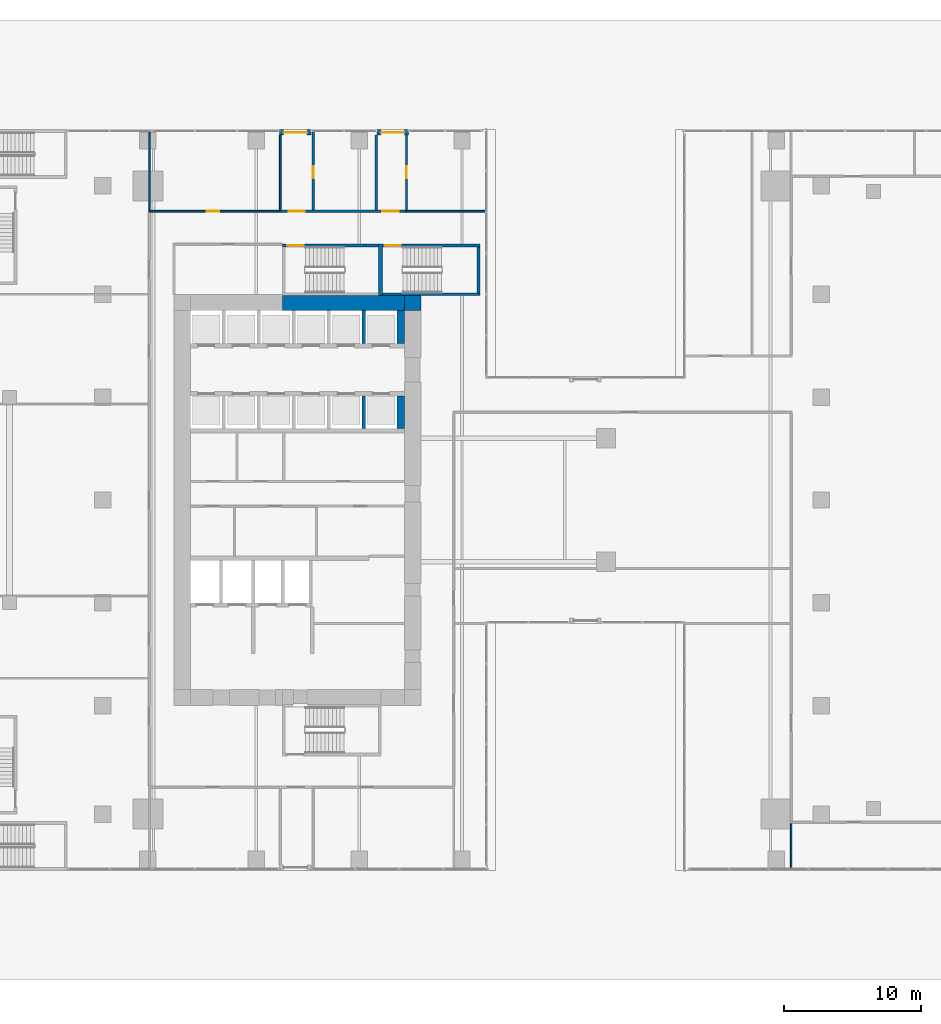
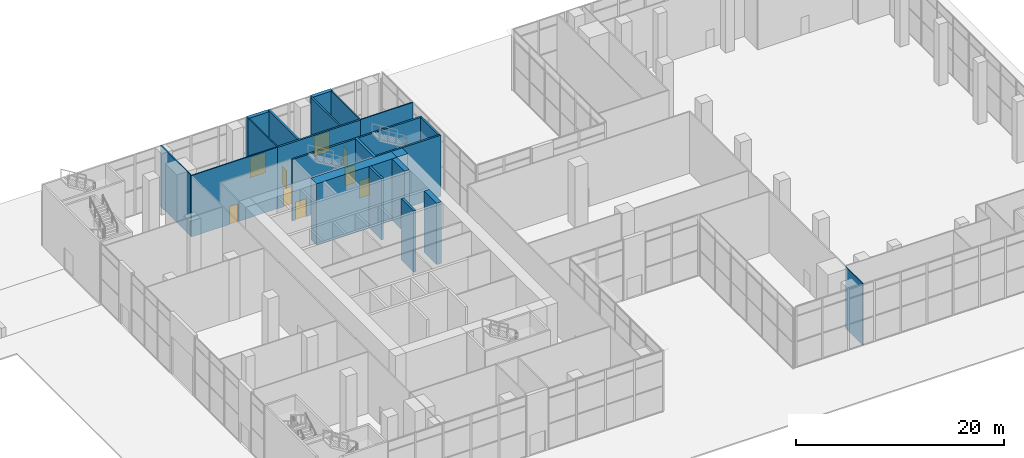
# One storey, part 40 of 52: 22 walls, 9 doors, 9 openings.
"""IFC4 building model written with IfcOpenShell, lengths in metres."""

from ifc_helpers import new_model, si_unit, direction, frame, frame_2d, origin, place, context, subcontext, project, spatial, rectangle, extrude, source, transform, mapped, material, layer, layer_set, type_object, element, fill, save


model = new_model("IFC4")

# Units and contexts
model_context = context("Model", 3, precision=1e-05, world=origin(), true_north=direction((0.0, 1.0)))
body_context = subcontext(model_context, "Body", "Model", "MODEL_VIEW")
ifc_project = project(units=[si_unit("LENGTHUNIT", "METRE"), si_unit("AREAUNIT", "SQUARE_METRE"), si_unit("VOLUMEUNIT", "CUBIC_METRE"), si_unit("PLANEANGLEUNIT", "RADIAN"), si_unit("MASSUNIT", "GRAM", prefix="KILO")], contexts=[model_context])

# Site, building, storey
site_placement = place(None, origin())
site = spatial("IfcSite", under=ifc_project, at=site_placement, CompositionType="ELEMENT")
building_placement = place(site_placement, origin())
building = spatial("IfcBuilding", under=site, at=building_placement, Name="Khomas Fold Tower", CompositionType="ELEMENT")
storey_placement = place(building_placement, origin())
storey = spatial("IfcBuildingStorey", under=building, at=storey_placement, Name="L00", CompositionType="ELEMENT", Elevation=0.0)

# Walls
ifc_material_1 = material(Name="Concrete C70/85", Category="concrete")
ifc_layer_1 = layer(ifc_material_1, 1.10009765625)
ifc_layer_set_1 = layer_set([ifc_layer_1], Name="Concrete C70/85")
wall_type_1 = type_object("IfcWallType", Name="Core wall 1100", PredefinedType="SHEAR", material=ifc_layer_set_1)
shared_shape_1 = source(origin(), body_context, "Body", "SweptSolid", [
    extrude(rectangle(XDim=8.900146484375, YDim=1.10009765625, at=frame_2d((4.4501953125, 0.0))), origin(), (0.0, 0.0, 1.0), 7.199951171875),
])
wall_1_placement = place(storey_placement, frame((13.89990234375, 41.35009765625, 0.0), z_axis=(0.0, 0.0, 1.0), x_axis=(1.0, 0.0, 0.0)))
element("IfcWall", 1, at=wall_1_placement, inside=storey, type_object=wall_type_1, Name="Core wall CW-L-N-B2-1", PredefinedType="SHEAR", context=body_context, shape_type="MappedRepresentation", body=[
    mapped(shared_shape_1, transform((0.0, 0.0, 0.0))),
])
ifc_material_2 = material(Name="Concrete C70/85", Category="concrete")
ifc_layer_2 = layer(ifc_material_2, 1.10009765625)
ifc_layer_set_2 = layer_set([ifc_layer_2], Name="Concrete C70/85")
wall_type_2 = type_object("IfcWallType", Name="Core corner wall 1100", PredefinedType="SHEAR", material=ifc_layer_set_2)
shared_shape_2 = source(origin(), body_context, "Body", "SweptSolid", [
    extrude(rectangle(XDim=1.199951171875, YDim=1.10009765625, at=frame_2d((0.60009765625, 0.0))), origin(), (0.0, 0.0, 1.0), 7.199951171875),
])
wall_2_placement = place(storey_placement, frame((22.800048828125, 41.35009765625, 0.0), z_axis=(0.0, 0.0, 1.0), x_axis=(1.0, 0.0, 0.0)))
element("IfcWall", 2, at=wall_2_placement, inside=storey, type_object=wall_type_2, Name="Core wall CW-L-NE-B2", PredefinedType="SHEAR", context=body_context, shape_type="MappedRepresentation", body=[
    mapped(shared_shape_2, transform((0.0, 0.0, 0.0))),
])

# Wall, opening, door
ifc_material_3 = material(Name="Concrete C50/60", Category="concrete")
ifc_layer_3 = layer(ifc_material_3, 0.199951171875)
ifc_layer_set_3 = layer_set([ifc_layer_3], Name="Concrete C50/60")
wall_type_3 = type_object("IfcWallType", Name="Stair wall 200", PredefinedType="SHEAR", material=ifc_layer_set_3)
shared_shape_3 = source(origin(), body_context, "Body", "SweptSolid", [
    extrude(rectangle(XDim=7.0, YDim=0.199951171875, at=frame_2d((3.5, 0.0))), origin(), (0.0, 0.0, 1.0), 7.199951171875),
])
wall_3_placement = place(storey_placement, frame((13.89990234375, 45.550048828125, 0.0), z_axis=(0.0, 0.0, 1.0), x_axis=(1.0, 0.0, 0.0)))
wall_3 = element("IfcWall", 3, at=wall_3_placement, inside=storey, type_object=wall_type_3, Name="Stair wall SW-ST1-N", PredefinedType="SHEAR", context=body_context, shape_type="MappedRepresentation", body=[
    mapped(shared_shape_3, transform((0.0, 0.0, 0.0))),
])
shared_shape_4 = source(origin(), body_context, "Body", "SweptSolid", [
    extrude(rectangle(XDim=1.199951171875, YDim=2.10009765625, at=frame_2d((0.60009765625, 1.050048828125))), frame((0.0, 0.10986328125, 0.0), z_axis=(0.0, -1.0, 0.0), x_axis=(1.0, 0.0, 0.0)), (0.0, 0.0, 1.0), 0.219970703125),
])
opening_1_placement = place(wall_3_placement, frame((0.35009765625, 0.0, 0.0)))
opening_1 = element("IfcOpeningElement", 4, at=opening_1_placement, cuts=wall_3, Name="Opening SD-ST1", PredefinedType="OPENING", context=body_context, shape_type="MappedRepresentation", body=[
    mapped(shared_shape_4, transform((0.0, 0.0, 0.0))),
])
ifc_material_4 = material(Name="Steel door leaf", Category="steel")
door_type_1 = type_object("IfcDoorType", Name="Stair door 1200x2100 left-hand", OperationType="SINGLE_SWING_LEFT", PredefinedType="DOOR", material=ifc_material_4)
shared_shape_5 = source(origin(), body_context, "Body", "SweptSolid", [
    extrude(rectangle(XDim=1.199951171875, YDim=2.10009765625, at=frame_2d((0.60009765625, 1.050048828125))), frame((0.0, 0.02490234375, 0.0), z_axis=(0.0, -1.0, 0.0), x_axis=(1.0, 0.0, 0.0)), (0.0, 0.0, 1.0), 0.050048828125),
])
door_1_placement = place(opening_1_placement, origin())
door_1 = element("IfcDoor", 5, at=door_1_placement, inside=storey, type_object=door_type_1, Name="Stair door", OperationType="SINGLE_SWING_LEFT", OverallHeight=2.10009765625, OverallWidth=1.199951171875, PredefinedType="DOOR", context=body_context, shape_type="MappedRepresentation", body=[
    mapped(shared_shape_5, transform((0.0, 0.0, 0.0))),
])
fill(opening_1, door_1)

shared_shape_6 = source(origin(), body_context, "Body", "SweptSolid", [
    extrude(rectangle(XDim=7.10009765625, YDim=0.199951171875, at=frame_2d((3.550048828125, 0.0))), origin(), (0.0, 0.0, 1.0), 7.199951171875),
])
wall_4_placement = place(storey_placement, frame((21.199951171875, 45.550048828125, 0.0), z_axis=(0.0, 0.0, 1.0), x_axis=(1.0, 0.0, 0.0)))
wall_4 = element("IfcWall", 6, at=wall_4_placement, inside=storey, type_object=wall_type_3, Name="Stair wall SW-ST3-N", PredefinedType="SHEAR", context=body_context, shape_type="MappedRepresentation", body=[
    mapped(shared_shape_6, transform((0.0, 0.0, 0.0))),
])
opening_2_placement = place(wall_4_placement, frame((0.14990234375, 0.0, 0.0)))
opening_2 = element("IfcOpeningElement", 7, at=opening_2_placement, cuts=wall_4, Name="Opening SD-ST3", PredefinedType="OPENING", context=body_context, shape_type="MappedRepresentation", body=[
    mapped(shared_shape_4, transform((0.0, 0.0, 0.0))),
])
door_2_placement = place(opening_2_placement, origin())
door_2 = element("IfcDoor", 8, at=door_2_placement, inside=storey, type_object=door_type_1, Name="Stair door", OperationType="SINGLE_SWING_LEFT", OverallHeight=2.10009765625, OverallWidth=1.199951171875, PredefinedType="DOOR", context=body_context, shape_type="MappedRepresentation", body=[
    mapped(shared_shape_5, transform((0.0, 0.0, 0.0))),
])
fill(opening_2, door_2)

# Walls
wall_5_placement = place(storey_placement, frame((21.199951171875, 42.0, 0.0), z_axis=(0.0, 0.0, 1.0), x_axis=(1.0, 0.0, 0.0)))
element("IfcWall", 9, at=wall_5_placement, inside=storey, type_object=wall_type_3, Name="Stair wall SW-ST3-S", PredefinedType="SHEAR", context=body_context, shape_type="MappedRepresentation", body=[
    mapped(shared_shape_6, transform((0.0, 0.0, 0.0))),
])
ifc_material_5 = material(Name="Concrete C50/60", Category="concrete")
ifc_layer_4 = layer(ifc_material_5, 0.300048828125)
ifc_layer_set_4 = layer_set([ifc_layer_4], Name="Concrete C50/60")
wall_type_4 = type_object("IfcWallType", Name="Stair wall 300", PredefinedType="SHEAR", material=ifc_layer_set_4)
shared_shape_7 = source(origin(), body_context, "Body", "SweptSolid", [
    extrude(rectangle(XDim=3.75, YDim=0.300048828125, at=frame_2d((1.875, 0.0))), origin(), (0.0, 0.0, 1.0), 7.199951171875),
])
wall_6_placement = place(storey_placement, frame((21.050048828125, 41.89990234375, 0.0), z_axis=(0.0, 0.0, 1.0), x_axis=(0.0, 1.0, 0.0)))
element("IfcWall", 10, at=wall_6_placement, inside=storey, type_object=wall_type_4, Name="Stair wall SW-ST1-E", PredefinedType="SHEAR", context=body_context, shape_type="MappedRepresentation", body=[
    mapped(shared_shape_7, transform((0.0, 0.0, 0.0))),
])
shared_shape_8 = source(origin(), body_context, "Body", "SweptSolid", [
    extrude(rectangle(XDim=3.349853515625, YDim=0.199951171875, at=frame_2d((1.6748046875, 0.0))), origin(), (0.0, 0.0, 1.0), 7.199951171875),
])
wall_7_placement = place(storey_placement, frame((28.199951171875, 42.10009765625, 0.0), z_axis=(0.0, 0.0, 1.0), x_axis=(0.0, 1.0, 0.0)))
element("IfcWall", 11, at=wall_7_placement, inside=storey, type_object=wall_type_3, Name="Stair wall SW-ST3-E", PredefinedType="SHEAR", context=body_context, shape_type="MappedRepresentation", body=[
    mapped(shared_shape_8, transform((0.0, 0.0, 0.0))),
])
ifc_material_6 = material(Name="Concrete C50/60", Category="concrete")
ifc_layer_5 = layer(ifc_material_6, 0.25)
ifc_layer_set_5 = layer_set([ifc_layer_5], Name="Concrete C50/60")
wall_type_5 = type_object("IfcWallType", Name="Shaft wall 250", PredefinedType="STANDARD", material=ifc_layer_set_5)
shared_shape_9 = source(origin(), body_context, "Body", "SweptSolid", [
    extrude(rectangle(XDim=2.400146484375, YDim=0.25, at=frame_2d((1.2001953125, 0.0))), origin(), (0.0, 0.0, 1.0), 7.199951171875),
])
for number, where, z_axis, x_axis, name in (
    (12, (19.824951171875, 38.39990234375, 0.0), (0.0, 0.0, 1.0), (0.0, 1.0, 0.0), "Core wall SW-LRN-P5"),
    (13, (19.824951171875, 32.199951171875, 0.0), (0.0, 0.0, 1.0), (0.0, 1.0, 0.0), "Core wall SW-LRS-P5"),
):
    element("IfcWall", number, at=place(storey_placement, frame(where, z_axis=z_axis, x_axis=x_axis)), inside=storey, type_object=wall_type_5, Name=name, PredefinedType="STANDARD", context=body_context, shape_type="MappedRepresentation", body=[
        mapped(shared_shape_9, transform((0.0, 0.0, 0.0))),
    ])
ifc_material_7 = material(Name="Concrete C50/60", Category="concrete")
ifc_layer_6 = layer(ifc_material_7, 0.550048828125)
ifc_layer_set_6 = layer_set([ifc_layer_6], Name="Concrete C50/60")
wall_type_6 = type_object("IfcWallType", Name="Shaft wall 550", PredefinedType="STANDARD", material=ifc_layer_set_6)
shared_shape_10 = source(origin(), body_context, "Body", "SweptSolid", [
    extrude(rectangle(XDim=2.400146484375, YDim=0.550048828125, at=frame_2d((1.2001953125, 0.0))), origin(), (0.0, 0.0, 1.0), 7.199951171875),
])
for number, where, z_axis, x_axis, name in (
    (14, (22.52490234375, 38.39990234375, 0.0), (0.0, 0.0, 1.0), (0.0, 1.0, 0.0), "Core wall SW-LRN-PE"),
    (15, (22.52490234375, 32.199951171875, 0.0), (0.0, 0.0, 1.0), (0.0, 1.0, 0.0), "Core wall SW-LRS-PE"),
):
    element("IfcWall", number, at=place(storey_placement, frame(where, z_axis=z_axis, x_axis=x_axis)), inside=storey, type_object=wall_type_6, Name=name, PredefinedType="STANDARD", context=body_context, shape_type="MappedRepresentation", body=[
        mapped(shared_shape_10, transform((0.0, 0.0, 0.0))),
    ])

# Wall, opening, door
ifc_material_8 = material(Name="Concrete C40/50", Category="concrete")
ifc_layer_7 = layer(ifc_material_8, 0.39990234375)
ifc_layer_set_7 = layer_set([ifc_layer_7], Name="Concrete C40/50")
wall_type_7 = type_object("IfcWallType", Name="Stone-clad concrete wall 400", PredefinedType="SOLIDWALL", material=ifc_layer_set_7)
shared_shape_11 = source(origin(), body_context, "Body", "SweptSolid", [
    extrude(rectangle(XDim=2.300048828125, YDim=0.39990234375, at=frame_2d((1.14990234375, 0.0))), origin(), (0.0, 0.0, 1.0), 7.14990234375),
])
wall_8_placement = place(storey_placement, frame((23.10009765625, 53.800048828125, 0.0), z_axis=(0.0, 0.0, 1.0), x_axis=(-1.0, 0.0, 0.0)))
wall_8 = element("IfcWall", 16, at=wall_8_placement, inside=storey, type_object=wall_type_7, Name="Podium wall", PredefinedType="SOLIDWALL", context=body_context, shape_type="MappedRepresentation", body=[
    mapped(shared_shape_11, transform((0.0, 0.0, 0.0))),
])
shared_shape_12 = source(origin(), body_context, "Body", "SweptSolid", [
    extrude(rectangle(XDim=1.699951171875, YDim=2.39990234375, at=frame_2d((0.85009765625, 1.199951171875))), frame((0.0, 0.2099609375, 0.0), z_axis=(0.0, -1.0, 0.0), x_axis=(1.0, 0.0, 0.0)), (0.0, 0.0, 1.0), 0.419921875),
])
opening_3_placement = place(wall_8_placement, frame((2.0, 0.0, 0.0), z_axis=(0.0, 0.0, 1.0), x_axis=(-1.0, 0.0, 0.0)))
opening_3 = element("IfcOpeningElement", 17, at=opening_3_placement, cuts=wall_8, Name="Opening X11", PredefinedType="OPENING", context=body_context, shape_type="MappedRepresentation", body=[
    mapped(shared_shape_12, transform((0.0, 0.0, 0.0))),
])
ifc_material_9 = material(Name="Aluminium framed glazing", Category="aluminium")
door_type_2 = type_object("IfcDoorType", Name="Glazed pedestrian door 1700 x 2400", OperationType="DOUBLE_DOOR_SINGLE_SWING", PredefinedType="DOOR", material=ifc_material_9)
shared_shape_13 = source(origin(), body_context, "Body", "SweptSolid", [
    extrude(rectangle(XDim=1.699951171875, YDim=2.39990234375, at=frame_2d((0.85009765625, 1.199951171875))), frame((0.0, 0.02490234375, 0.0), z_axis=(0.0, -1.0, 0.0), x_axis=(1.0, 0.0, 0.0)), (0.0, 0.0, 1.0), 0.050048828125),
])
door_3_placement = place(opening_3_placement, origin())
door_3 = element("IfcDoor", 18, at=door_3_placement, inside=storey, type_object=door_type_2, Name="Exit X11", OperationType="DOUBLE_DOOR_SINGLE_SWING", OverallHeight=2.39990234375, OverallWidth=1.699951171875, PredefinedType="DOOR", context=body_context, shape_type="MappedRepresentation", body=[
    mapped(shared_shape_13, transform((0.0, 0.0, 0.0))),
])
fill(opening_3, door_3)

wall_9_placement = place(storey_placement, frame((16.0, 53.800048828125, 0.0), z_axis=(0.0, 0.0, 1.0), x_axis=(-1.0, 0.0, 0.0)))
wall_9 = element("IfcWall", 19, at=wall_9_placement, inside=storey, type_object=wall_type_7, Name="Podium wall", PredefinedType="SOLIDWALL", context=body_context, shape_type="MappedRepresentation", body=[
    mapped(shared_shape_11, transform((0.0, 0.0, 0.0))),
])
opening_4_placement = place(wall_9_placement, frame((2.0, 0.0, 0.0), z_axis=(0.0, 0.0, 1.0), x_axis=(-1.0, 0.0, 0.0)))
opening_4 = element("IfcOpeningElement", 20, at=opening_4_placement, cuts=wall_9, Name="Opening X9", PredefinedType="OPENING", context=body_context, shape_type="MappedRepresentation", body=[
    mapped(shared_shape_12, transform((0.0, 0.0, 0.0))),
])
door_4_placement = place(opening_4_placement, origin())
door_4 = element("IfcDoor", 21, at=door_4_placement, inside=storey, type_object=door_type_2, Name="Exit X9", OperationType="DOUBLE_DOOR_SINGLE_SWING", OverallHeight=2.39990234375, OverallWidth=1.699951171875, PredefinedType="DOOR", context=body_context, shape_type="MappedRepresentation", body=[
    mapped(shared_shape_13, transform((0.0, 0.0, 0.0))),
])
fill(opening_4, door_4)

# Wall
ifc_material_10 = material(Name="Plasterboard partition")
ifc_layer_8 = layer(ifc_material_10, 0.10009765625)
ifc_layer_set_8 = layer_set([ifc_layer_8], Name="Plasterboard partition")
wall_type_8 = type_object("IfcWallType", Name="Partition PW1 100", PredefinedType="PARTITIONING", material=ifc_layer_set_8)
shared_shape_14 = source(origin(), body_context, "Body", "SweptSolid", [
    extrude(rectangle(XDim=3.2998046875, YDim=0.10009765625, at=frame_2d((1.64990234375, 0.0))), origin(), (0.0, 0.0, 1.0), 7.199951171875),
])
wall_10_placement = place(storey_placement, frame((51.0, 0.10009765625, 0.0), z_axis=(0.0, 0.0, 1.0), x_axis=(0.0, 1.0, 0.0)))
element("IfcWall", 22, at=wall_10_placement, inside=storey, type_object=wall_type_8, Name="Partition", PredefinedType="PARTITIONING", context=body_context, shape_type="MappedRepresentation", body=[
    mapped(shared_shape_14, transform((0.0, 0.0, 0.0))),
])

# Wall, opening, door
ifc_material_11 = material(Name="Plasterboard partition")
ifc_layer_9 = layer(ifc_material_11, 0.125)
ifc_layer_set_9 = layer_set([ifc_layer_9], Name="Plasterboard partition")
wall_type_9 = type_object("IfcWallType", Name="Partition PW2 125", PredefinedType="PARTITIONING", material=ifc_layer_set_9)
shared_shape_15 = source(origin(), body_context, "Body", "SweptSolid", [
    extrude(rectangle(XDim=9.550048828125, YDim=0.125, at=frame_2d((4.77490234375, 0.0))), origin(), (0.0, 0.0, 1.0), 7.199951171875),
])
wall_11_placement = place(storey_placement, frame((4.14990234375, 48.050048828125, 0.0), z_axis=(0.0, 0.0, 1.0), x_axis=(1.0, 0.0, 0.0)))
wall_11 = element("IfcWall", 23, at=wall_11_placement, inside=storey, type_object=wall_type_9, Name="Partition", PredefinedType="PARTITIONING", context=body_context, shape_type="MappedRepresentation", body=[
    mapped(shared_shape_15, transform((0.0, 0.0, 0.0))),
])
shared_shape_16 = source(origin(), body_context, "Body", "SweptSolid", [
    extrude(rectangle(XDim=0.89990234375, YDim=2.10009765625, at=frame_2d((0.449951171875, 1.050048828125))), frame((0.0, 0.072509765625, 0.0), z_axis=(0.0, -1.0, 0.0), x_axis=(1.0, 0.0, 0.0)), (0.0, 0.0, 1.0), 0.14501953125),
])
opening_5_placement = place(wall_11_placement, frame((4.25, 0.0, 0.0)))
opening_5 = element("IfcOpeningElement", 24, at=opening_5_placement, cuts=wall_11, Name="Opening 0008", PredefinedType="OPENING", context=body_context, shape_type="MappedRepresentation", body=[
    mapped(shared_shape_16, transform((0.0, 0.0, 0.0))),
])
ifc_material_12 = material(Name="Timber door leaf", Category="wood")
door_type_3 = type_object("IfcDoorType", Name="Door 900x2100 right-hand", OperationType="SINGLE_SWING_RIGHT", PredefinedType="DOOR", material=ifc_material_12)
shared_shape_17 = source(origin(), body_context, "Body", "SweptSolid", [
    extrude(rectangle(XDim=0.89990234375, YDim=2.10009765625, at=frame_2d((0.449951171875, 1.050048828125))), frame((0.0, 0.02490234375, 0.0), z_axis=(0.0, -1.0, 0.0), x_axis=(1.0, 0.0, 0.0)), (0.0, 0.0, 1.0), 0.050048828125),
])
door_5_placement = place(opening_5_placement, origin())
door_5 = element("IfcDoor", 25, at=door_5_placement, inside=storey, type_object=door_type_3, Name="Door", OperationType="SINGLE_SWING_RIGHT", OverallHeight=2.10009765625, OverallWidth=0.89990234375, PredefinedType="DOOR", context=body_context, shape_type="MappedRepresentation", body=[
    mapped(shared_shape_17, transform((0.0, 0.0, 0.0))),
])
fill(opening_5, door_5)

# Wall, openings, doors
ifc_material_13 = material(Name="Concrete C30/37", Category="concrete")
ifc_layer_10 = layer(ifc_material_13, 0.199951171875)
ifc_layer_set_10 = layer_set([ifc_layer_10], Name="Concrete C30/37")
wall_type_10 = type_object("IfcWallType", Name="Lobby wall PW4 200", PredefinedType="PARTITIONING", material=ifc_layer_set_10)
shared_shape_18 = source(origin(), body_context, "Body", "SweptSolid", [
    extrude(rectangle(XDim=9.199951171875, YDim=0.199951171875, at=frame_2d((4.60009765625, 0.0))), origin(), (0.0, 0.0, 1.0), 7.199951171875),
])
wall_12_placement = place(storey_placement, frame((13.699951171875, 48.050048828125, 0.0), z_axis=(0.0, 0.0, 1.0), x_axis=(1.0, 0.0, 0.0)))
wall_12 = element("IfcWall", 26, at=wall_12_placement, inside=storey, type_object=wall_type_10, Name="Lobby wall", PredefinedType="PARTITIONING", context=body_context, shape_type="MappedRepresentation", body=[
    mapped(shared_shape_18, transform((0.0, 0.0, 0.0))),
])
opening_6_placement = place(wall_12_placement, frame((0.64990234375, 0.0, 0.0)))
opening_6 = element("IfcOpeningElement", 27, at=opening_6_placement, cuts=wall_12, Name="Opening 0016", PredefinedType="OPENING", context=body_context, shape_type="MappedRepresentation", body=[
    mapped(shared_shape_4, transform((0.0, 0.0, 0.0))),
])
opening_7_placement = place(wall_12_placement, frame((7.5, 0.0, 0.0)))
opening_7 = element("IfcOpeningElement", 28, at=opening_7_placement, cuts=wall_12, Name="Opening 0009", PredefinedType="OPENING", context=body_context, shape_type="MappedRepresentation", body=[
    mapped(shared_shape_4, transform((0.0, 0.0, 0.0))),
])
ifc_material_14 = material(Name="Steel door leaf", Category="steel")
door_type_4 = type_object("IfcDoorType", Name="Lobby door 1200x2100 left-hand", OperationType="SINGLE_SWING_LEFT", PredefinedType="DOOR", material=ifc_material_14)
door_6_placement = place(opening_6_placement, origin())
door_6 = element("IfcDoor", 29, at=door_6_placement, inside=storey, type_object=door_type_4, Name="Lobby door", OperationType="SINGLE_SWING_LEFT", OverallHeight=2.10009765625, OverallWidth=1.199951171875, PredefinedType="DOOR", context=body_context, shape_type="MappedRepresentation", body=[
    mapped(shared_shape_5, transform((0.0, 0.0, 0.0))),
])
fill(opening_6, door_6)
ifc_material_15 = material(Name="Steel door leaf", Category="steel")
door_type_5 = type_object("IfcDoorType", Name="Lobby door 1200x2100 right-hand", OperationType="SINGLE_SWING_RIGHT", PredefinedType="DOOR", material=ifc_material_15)
door_7_placement = place(opening_7_placement, origin())
door_7 = element("IfcDoor", 30, at=door_7_placement, inside=storey, type_object=door_type_5, Name="Lobby door", OperationType="SINGLE_SWING_RIGHT", OverallHeight=2.10009765625, OverallWidth=1.199951171875, PredefinedType="DOOR", context=body_context, shape_type="MappedRepresentation", body=[
    mapped(shared_shape_5, transform((0.0, 0.0, 0.0))),
])
fill(opening_7, door_7)

# Walls
shared_shape_19 = source(origin(), body_context, "Body", "SweptSolid", [
    extrude(rectangle(XDim=5.85009765625, YDim=0.125, at=frame_2d((2.925048828125, 0.0))), origin(), (0.0, 0.0, 1.0), 7.199951171875),
])
wall_13_placement = place(storey_placement, frame((22.89990234375, 48.050048828125, 0.0), z_axis=(0.0, 0.0, 1.0), x_axis=(1.0, 0.0, 0.0)))
element("IfcWall", 31, at=wall_13_placement, inside=storey, type_object=wall_type_9, Name="Partition", PredefinedType="PARTITIONING", context=body_context, shape_type="MappedRepresentation", body=[
    mapped(shared_shape_19, transform((0.0, 0.0, 0.0))),
])
shared_shape_20 = source(origin(), body_context, "Body", "SweptSolid", [
    extrude(rectangle(XDim=5.75, YDim=0.10009765625, at=frame_2d((2.875, 0.0))), origin(), (0.0, 0.0, 1.0), 7.199951171875),
])
wall_14_placement = place(storey_placement, frame((4.199951171875, 48.14990234375, 0.0), z_axis=(0.0, 0.0, 1.0), x_axis=(0.0, 1.0, 0.0)))
element("IfcWall", 32, at=wall_14_placement, inside=storey, type_object=wall_type_8, Name="Partition", PredefinedType="PARTITIONING", context=body_context, shape_type="MappedRepresentation", body=[
    mapped(shared_shape_20, transform((0.0, 0.0, 0.0))),
])
shared_shape_21 = source(origin(), body_context, "Body", "SweptSolid", [
    extrude(rectangle(XDim=5.4501953125, YDim=0.125, at=frame_2d((2.72509765625, 0.0))), origin(), (0.0, 0.0, 1.0), 7.199951171875),
])
wall_15_placement = place(storey_placement, frame((13.75, 48.14990234375, 0.0), z_axis=(0.0, 0.0, 1.0), x_axis=(0.0, 1.0, 0.0)))
element("IfcWall", 33, at=wall_15_placement, inside=storey, type_object=wall_type_9, Name="Partition", PredefinedType="PARTITIONING", context=body_context, shape_type="MappedRepresentation", body=[
    mapped(shared_shape_21, transform((0.0, 0.0, 0.0))),
])

# Wall, opening, door
wall_16_placement = place(storey_placement, frame((22.949951171875, 48.14990234375, 0.0), z_axis=(0.0, 0.0, 1.0), x_axis=(0.0, 1.0, 0.0)))
wall_16 = element("IfcWall", 34, at=wall_16_placement, inside=storey, type_object=wall_type_9, Name="Partition", PredefinedType="PARTITIONING", context=body_context, shape_type="MappedRepresentation", body=[
    mapped(shared_shape_21, transform((0.0, 0.0, 0.0))),
])
opening_8_placement = place(wall_16_placement, frame((2.300048828125, 0.0, 0.0)))
opening_8 = element("IfcOpeningElement", 35, at=opening_8_placement, cuts=wall_16, Name="Opening 0007", PredefinedType="OPENING", context=body_context, shape_type="MappedRepresentation", body=[
    mapped(shared_shape_16, transform((0.0, 0.0, 0.0))),
])
ifc_material_16 = material(Name="Timber door leaf", Category="wood")
door_type_6 = type_object("IfcDoorType", Name="Door 900x2100 left-hand", OperationType="SINGLE_SWING_LEFT", PredefinedType="DOOR", material=ifc_material_16)
door_8_placement = place(opening_8_placement, origin())
door_8 = element("IfcDoor", 36, at=door_8_placement, inside=storey, type_object=door_type_6, Name="Door", OperationType="SINGLE_SWING_LEFT", OverallHeight=2.10009765625, OverallWidth=0.89990234375, PredefinedType="DOOR", context=body_context, shape_type="MappedRepresentation", body=[
    mapped(shared_shape_17, transform((0.0, 0.0, 0.0))),
])
fill(opening_8, door_8)

shared_shape_22 = source(origin(), body_context, "Body", "SweptSolid", [
    extrude(rectangle(XDim=5.75, YDim=0.199951171875, at=frame_2d((2.875, 0.0))), origin(), (0.0, 0.0, 1.0), 7.199951171875),
])
wall_17_placement = place(storey_placement, frame((16.14990234375, 48.14990234375, 0.0), z_axis=(0.0, 0.0, 1.0), x_axis=(0.0, 1.0, 0.0)))
wall_17 = element("IfcWall", 37, at=wall_17_placement, inside=storey, type_object=wall_type_10, Name="Lobby wall", PredefinedType="PARTITIONING", context=body_context, shape_type="MappedRepresentation", body=[
    mapped(shared_shape_22, transform((0.0, 0.0, 0.0))),
])
shared_shape_23 = source(origin(), body_context, "Body", "SweptSolid", [
    extrude(rectangle(XDim=0.89990234375, YDim=2.10009765625, at=frame_2d((0.449951171875, 1.050048828125))), frame((0.0, 0.10986328125, 0.0), z_axis=(0.0, -1.0, 0.0), x_axis=(1.0, 0.0, 0.0)), (0.0, 0.0, 1.0), 0.219970703125),
])
opening_9_placement = place(wall_17_placement, frame((2.300048828125, 0.0, 0.0)))
opening_9 = element("IfcOpeningElement", 38, at=opening_9_placement, cuts=wall_17, Name="Opening 0007", PredefinedType="OPENING", context=body_context, shape_type="MappedRepresentation", body=[
    mapped(shared_shape_23, transform((0.0, 0.0, 0.0))),
])
door_9_placement = place(opening_9_placement, origin())
door_9 = element("IfcDoor", 39, at=door_9_placement, inside=storey, type_object=door_type_6, Name="Door", OperationType="SINGLE_SWING_LEFT", OverallHeight=2.10009765625, OverallWidth=0.89990234375, PredefinedType="DOOR", context=body_context, shape_type="MappedRepresentation", body=[
    mapped(shared_shape_17, transform((0.0, 0.0, 0.0))),
])
fill(opening_9, door_9)

# Wall
shared_shape_24 = source(origin(), body_context, "Body", "SweptSolid", [
    extrude(rectangle(XDim=5.4501953125, YDim=0.199951171875, at=frame_2d((2.72509765625, 0.0))), origin(), (0.0, 0.0, 1.0), 7.199951171875),
])
wall_18_placement = place(storey_placement, frame((20.75, 48.14990234375, 0.0), z_axis=(0.0, 0.0, 1.0), x_axis=(0.0, 1.0, 0.0)))
element("IfcWall", 40, at=wall_18_placement, inside=storey, type_object=wall_type_10, Name="Lobby wall", PredefinedType="PARTITIONING", context=body_context, shape_type="MappedRepresentation", body=[
    mapped(shared_shape_24, transform((0.0, 0.0, 0.0))),
])

save(model, "model.ifc")
